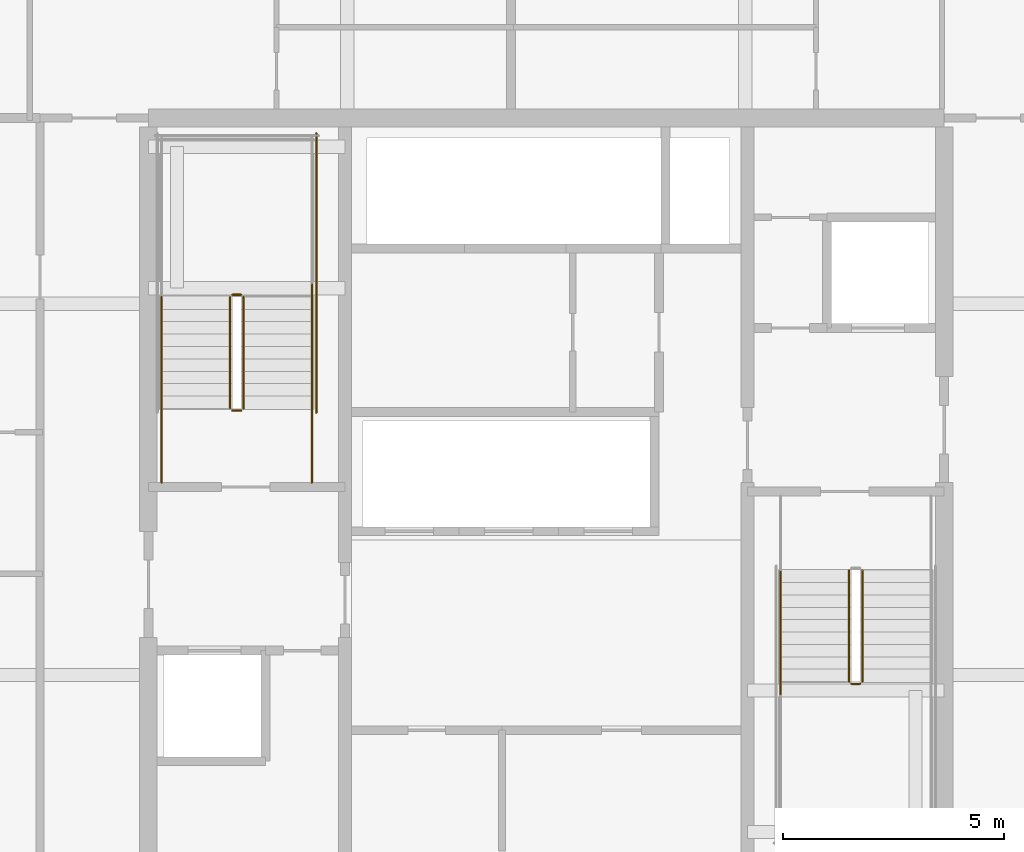
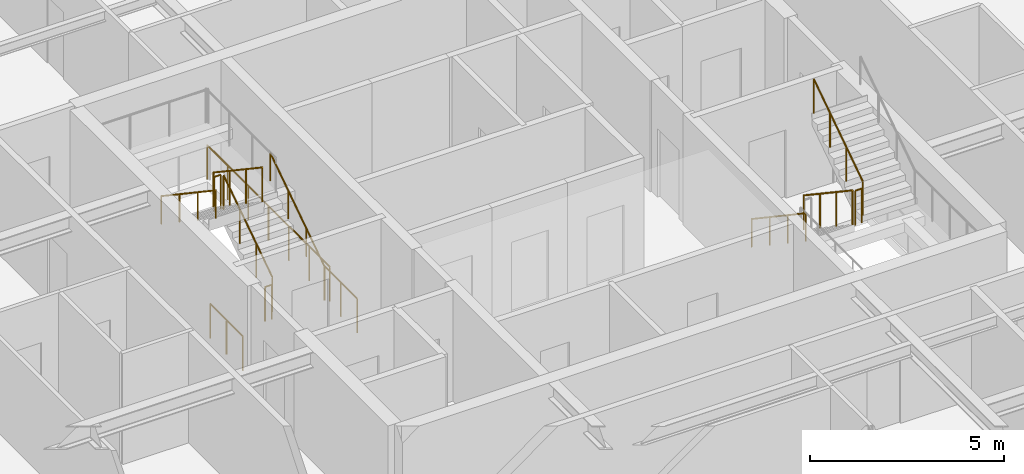
# One storey, part 34 of 37: 13 railings.
"""IFC4 building model written with IfcOpenShell, lengths in metres."""

from ifc_helpers import new_model, si_unit, direction, frame, origin, origin_2d, place, context, subcontext, project, spatial, circle, extrude, material, type_object, element, save


model = new_model("IFC4")

# Units and contexts
model_context = context("Model", 3, precision=1e-05, world=origin(), true_north=direction((0.0, 1.0)))
body_context = subcontext(model_context, "Body", "Model", "MODEL_VIEW")
ifc_project = project(units=[si_unit("LENGTHUNIT", "METRE"), si_unit("AREAUNIT", "SQUARE_METRE"), si_unit("VOLUMEUNIT", "CUBIC_METRE"), si_unit("PLANEANGLEUNIT", "RADIAN"), si_unit("MASSUNIT", "GRAM", prefix="KILO")], contexts=[model_context])

# Site, building, storey
site_placement = place(None, origin())
site = spatial("IfcSite", under=ifc_project, at=site_placement, CompositionType="ELEMENT")
building_placement = place(site_placement, origin())
building = spatial("IfcBuilding", under=site, at=building_placement, Name="Serunith Strait Residences", CompositionType="ELEMENT")
storey_placement = place(building_placement, frame((0.0, 0.0, 161.39990234375)))
storey = spatial("IfcBuildingStorey", under=building, at=storey_placement, Name="L40", CompositionType="ELEMENT", Elevation=161.39990234375)

# Railings
ifc_material = material(Name="Brushed stainless steel 316L", Category="steel")
railing_type_1 = type_object("IfcRailingType", Name="RLG-STAIR-GUARD", PredefinedType="BALUSTRADE", material=ifc_material)
railing_1_placement = place(storey_placement, frame((25.550048828125, 27.030029296875, 0.1875)))
element("IfcRailing", 1, at=railing_1_placement, inside=storey, type_object=railing_type_1, Name="L40 ST-1 stair guard 1", PredefinedType="BALUSTRADE", context=body_context, shape_type="SweptSolid", body=[
    extrude(circle(Radius=0.02392578125, at=origin_2d()), frame((0.0, 0.001708984375, 1.0771484375), z_axis=(0.0, 0.830909170722, 0.55640807867), x_axis=(-1.0, 0.0, 0.0)), (0.0, 0.0, 1.0), 3.02880859375),
    extrude(circle(Radius=0.02099609375, at=origin_2d()), origin(), (0.0, 0.0, 1.0), 1.050048828125),
    extrude(circle(Radius=0.02099609375, at=origin_2d()), frame((0.0, 0.840087890625, 0.5625)), (0.0, 0.0, 1.0), 1.050048828125),
    extrude(circle(Radius=0.02099609375, at=origin_2d()), frame((0.0, 1.679931640625, 1.125)), (0.0, 0.0, 1.0), 1.050048828125),
    extrude(circle(Radius=0.02099609375, at=origin_2d()), frame((0.0, 2.52001953125, 1.6875)), (0.0, 0.0, 1.0), 1.050048828125),
])
railing_2_placement = place(storey_placement, frame((25.5, 29.60009765625, 1.875)))
element("IfcRailing", 2, at=railing_2_placement, inside=storey, type_object=railing_type_1, Name="L40 ST-1 stair guard 2", PredefinedType="BALUSTRADE", context=body_context, shape_type="SweptSolid", body=[
    extrude(circle(Radius=0.02392578125, at=origin_2d()), frame((-0.001953125, 0.0, 1.076171875), z_axis=(-1.0, 0.0, 0.0), x_axis=(0.0, -1.0, 0.0)), (0.0, 0.0, 1.0), 0.196044921875),
    extrude(circle(Radius=0.02099609375, at=origin_2d()), origin(), (0.0, 0.0, 1.0), 1.050048828125),
    extrude(circle(Radius=0.02099609375, at=origin_2d()), frame((-0.199951171875, 0.0, 0.0)), (0.0, 0.0, 1.0), 1.050048828125),
])
railing_3_placement = place(storey_placement, frame((25.25, 29.550048828125, 2.0625)))
element("IfcRailing", 3, at=railing_3_placement, inside=storey, type_object=railing_type_1, Name="L40 ST-1 stair guard 6", PredefinedType="BALUSTRADE", context=body_context, shape_type="SweptSolid", body=[
    extrude(circle(Radius=0.02392578125, at=origin_2d()), frame((0.0, -0.001708984375, 1.0771484375), z_axis=(0.0, -0.830909170722, 0.55640807867), x_axis=(1.0, 0.0, 0.0)), (0.0, 0.0, 1.0), 3.02880859375),
    extrude(circle(Radius=0.02099609375, at=origin_2d()), origin(), (0.0, 0.0, 1.0), 1.050048828125),
    extrude(circle(Radius=0.02099609375, at=origin_2d()), frame((0.0, -0.840087890625, 0.5625)), (0.0, 0.0, 1.0), 1.050048828125),
    extrude(circle(Radius=0.02099609375, at=origin_2d()), frame((0.0, -1.679931640625, 1.125)), (0.0, 0.0, 1.0), 1.050048828125),
    extrude(circle(Radius=0.02099609375, at=origin_2d()), frame((0.0, -2.52001953125, 1.6875)), (0.0, 0.0, 1.0), 1.050048828125),
])
railing_4_placement = place(storey_placement, frame((25.5, 26.97998046875, 0.0)))
element("IfcRailing", 4, at=railing_4_placement, inside=storey, type_object=railing_type_1, Name="L40 ST-1 stair guard 7", PredefinedType="BALUSTRADE", context=body_context, shape_type="SweptSolid", body=[
    extrude(circle(Radius=0.02392578125, at=origin_2d()), frame((-0.001953125, 0.0, 1.076171875), z_axis=(-1.0, 0.0, 0.0), x_axis=(0.0, -1.0, 0.0)), (0.0, 0.0, 1.0), 0.196044921875),
    extrude(circle(Radius=0.02099609375, at=origin_2d()), origin(), (0.0, 0.0, 1.0), 1.050048828125),
    extrude(circle(Radius=0.02099609375, at=origin_2d()), frame((-0.199951171875, 0.0, 0.0)), (0.0, 0.0, 1.0), 1.050048828125),
])
for number, where, name in (
    (5, (27.10009765625, 25.35009765625, 0.0), "L40 ST-1 stair guard 8"),
    (6, (23.699951171875, 25.35009765625, 0.0), "L40 ST-1 stair guard 9"),
):
    element("IfcRailing", number, at=place(storey_placement, frame(where)), inside=storey, type_object=railing_type_1, Name=name, PredefinedType="BALUSTRADE", context=body_context, shape_type="SweptSolid", body=[
        extrude(circle(Radius=0.02392578125, at=origin_2d()), frame((0.0, 0.001953125, 1.076171875), z_axis=(0.0, 1.0, 0.0), x_axis=(-1.0, 0.0, 0.0)), (0.0, 0.0, 1.0), 1.676025390625),
        extrude(circle(Radius=0.02099609375, at=origin_2d()), origin(), (0.0, 0.0, 1.0), 1.050048828125),
        extrude(circle(Radius=0.02099609375, at=origin_2d()), frame((0.0, 0.83984375, 0.0)), (0.0, 0.0, 1.0), 1.050048828125),
        extrude(circle(Radius=0.02099609375, at=origin_2d()), frame((0.0, 1.679931640625, 0.0)), (0.0, 0.0, 1.0), 1.050048828125),
    ])
railing_5_placement = place(storey_placement, frame((27.199951171875, 26.929931640625, 0.0)))
element("IfcRailing", 7, at=railing_5_placement, inside=storey, type_object=railing_type_1, Name="L40 ST-1 stair guard 10", PredefinedType="BALUSTRADE", context=body_context, shape_type="SweptSolid", body=[
    extrude(circle(Radius=0.02392578125, at=origin_2d()), frame((0.0, 0.001953125, 1.076171875), z_axis=(0.0, 1.0, 0.0), x_axis=(-1.0, 0.0, 0.0)), (0.0, 0.0, 1.0), 6.316162109375),
    extrude(circle(Radius=0.02099609375, at=origin_2d()), origin(), (0.0, 0.0, 1.0), 1.050048828125),
    extrude(circle(Radius=0.02099609375, at=origin_2d()), frame((0.0, 1.05322265625, 0.0)), (0.0, 0.0, 1.0), 1.050048828125),
    extrude(circle(Radius=0.02099609375, at=origin_2d()), frame((0.0, 2.106689453125, 0.0)), (0.0, 0.0, 1.0), 1.050048828125),
    extrude(circle(Radius=0.02099609375, at=origin_2d()), frame((0.0, 3.16015625, 0.0)), (0.0, 0.0, 1.0), 1.050048828125),
    extrude(circle(Radius=0.02099609375, at=origin_2d()), frame((0.0, 4.21337890625, 0.0)), (0.0, 0.0, 1.0), 1.050048828125),
    extrude(circle(Radius=0.02099609375, at=origin_2d()), frame((0.0, 5.2666015625, 0.0)), (0.0, 0.0, 1.0), 1.050048828125),
    extrude(circle(Radius=0.02099609375, at=origin_2d()), frame((0.0, 6.320068359375, 0.0)), (0.0, 0.0, 1.0), 1.050048828125),
])
railing_6_placement = place(storey_placement, frame((39.25, 23.3701171875, 0.1875)))
element("IfcRailing", 8, at=railing_6_placement, inside=storey, type_object=railing_type_1, Name="L40 ST-2 stair guard 1", PredefinedType="BALUSTRADE", context=body_context, shape_type="SweptSolid", body=[
    extrude(circle(Radius=0.02392578125, at=origin_2d()), frame((0.0, -0.001708984375, 1.0771484375), z_axis=(0.0, -0.830909170722, 0.55640807867), x_axis=(1.0, 0.0, 0.0)), (0.0, 0.0, 1.0), 3.02880859375),
    extrude(circle(Radius=0.02099609375, at=origin_2d()), origin(), (0.0, 0.0, 1.0), 1.050048828125),
    extrude(circle(Radius=0.02099609375, at=origin_2d()), frame((0.0, -0.840087890625, 0.5625)), (0.0, 0.0, 1.0), 1.050048828125),
    extrude(circle(Radius=0.02099609375, at=origin_2d()), frame((0.0, -1.679931640625, 1.125)), (0.0, 0.0, 1.0), 1.050048828125),
    extrude(circle(Radius=0.02099609375, at=origin_2d()), frame((0.0, -2.52001953125, 1.6875)), (0.0, 0.0, 1.0), 1.050048828125),
])
railing_7_placement = place(storey_placement, frame((39.300048828125, 20.800048828125, 1.875)))
element("IfcRailing", 9, at=railing_7_placement, inside=storey, type_object=railing_type_1, Name="L40 ST-2 stair guard 2", PredefinedType="BALUSTRADE", context=body_context, shape_type="SweptSolid", body=[
    extrude(circle(Radius=0.02392578125, at=origin_2d()), frame((0.001953125, 0.0, 1.076171875), z_axis=(1.0, 0.0, 0.0), x_axis=(0.0, 1.0, 0.0)), (0.0, 0.0, 1.0), 0.196044921875),
    extrude(circle(Radius=0.02099609375, at=origin_2d()), origin(), (0.0, 0.0, 1.0), 1.050048828125),
    extrude(circle(Radius=0.02099609375, at=origin_2d()), frame((0.199951171875, 0.0, 0.0)), (0.0, 0.0, 1.0), 1.050048828125),
])
railing_8_placement = place(storey_placement, frame((39.550048828125, 20.85009765625, 2.0625)))
element("IfcRailing", 10, at=railing_8_placement, inside=storey, type_object=railing_type_1, Name="L40 ST-2 stair guard 6", PredefinedType="BALUSTRADE", context=body_context, shape_type="SweptSolid", body=[
    extrude(circle(Radius=0.02392578125, at=origin_2d()), frame((0.0, 0.001708984375, 1.0771484375), z_axis=(0.0, 0.830909170722, 0.55640807867), x_axis=(-1.0, 0.0, 0.0)), (0.0, 0.0, 1.0), 3.02880859375),
    extrude(circle(Radius=0.02099609375, at=origin_2d()), origin(), (0.0, 0.0, 1.0), 1.050048828125),
    extrude(circle(Radius=0.02099609375, at=origin_2d()), frame((0.0, 0.840087890625, 0.5625)), (0.0, 0.0, 1.0), 1.050048828125),
    extrude(circle(Radius=0.02099609375, at=origin_2d()), frame((0.0, 1.679931640625, 1.125)), (0.0, 0.0, 1.0), 1.050048828125),
    extrude(circle(Radius=0.02099609375, at=origin_2d()), frame((0.0, 2.52001953125, 1.6875)), (0.0, 0.0, 1.0), 1.050048828125),
])
railing_type_2 = type_object("IfcRailingType", Name="RLG-STAIR-HR", PredefinedType="HANDRAIL", material=ifc_material)
railing_9_placement = place(storey_placement, frame((27.10009765625, 27.030029296875, 0.1875)))
element("IfcRailing", 11, at=railing_9_placement, inside=storey, type_object=railing_type_2, Name="L40 ST-1 stair handrail 1", PredefinedType="HANDRAIL", context=body_context, shape_type="SweptSolid", body=[
    extrude(circle(Radius=0.02392578125, at=origin_2d()), frame((0.0, 0.001708984375, 0.876953125), z_axis=(0.0, 0.830208209119, 0.557453432594), x_axis=(-1.0, 0.0, 0.0)), (0.0, 0.0, 1.0), 3.36865234375),
    extrude(circle(Radius=0.02099609375, at=origin_2d()), origin(), (0.0, 0.0, 1.0), 0.849853515625),
    extrude(circle(Radius=0.02099609375, at=origin_2d()), frame((0.0, 0.933349609375, 0.626708984375)), (0.0, 0.0, 1.0), 0.849853515625),
    extrude(circle(Radius=0.02099609375, at=origin_2d()), frame((0.0, 1.86669921875, 1.25341796875)), (0.0, 0.0, 1.0), 0.849853515625),
    extrude(circle(Radius=0.02099609375, at=origin_2d()), frame((0.0, 2.800048828125, 1.880126953125)), (0.0, 0.0, 1.0), 0.849853515625),
])
for number, where, name in (
    (12, (23.699951171875, 29.550048828125, 2.0625), "L40 ST-1 stair handrail 2"),
    (13, (37.699951171875, 23.3701171875, 0.1875), "L40 ST-2 stair handrail 1"),
):
    element("IfcRailing", number, at=place(storey_placement, frame(where)), inside=storey, type_object=railing_type_2, Name=name, PredefinedType="HANDRAIL", context=body_context, shape_type="SweptSolid", body=[
        extrude(circle(Radius=0.02392578125, at=origin_2d()), frame((0.0, -0.001708984375, 0.876953125), z_axis=(0.0, -0.830208209119, 0.557453432594), x_axis=(1.0, 0.0, 0.0)), (0.0, 0.0, 1.0), 3.36865234375),
        extrude(circle(Radius=0.02099609375, at=origin_2d()), origin(), (0.0, 0.0, 1.0), 0.849853515625),
        extrude(circle(Radius=0.02099609375, at=origin_2d()), frame((0.0, -0.933349609375, 0.626708984375)), (0.0, 0.0, 1.0), 0.849853515625),
        extrude(circle(Radius=0.02099609375, at=origin_2d()), frame((0.0, -1.86669921875, 1.25341796875)), (0.0, 0.0, 1.0), 0.849853515625),
        extrude(circle(Radius=0.02099609375, at=origin_2d()), frame((0.0, -2.800048828125, 1.880126953125)), (0.0, 0.0, 1.0), 0.849853515625),
    ])

save(model, "model.ifc")
